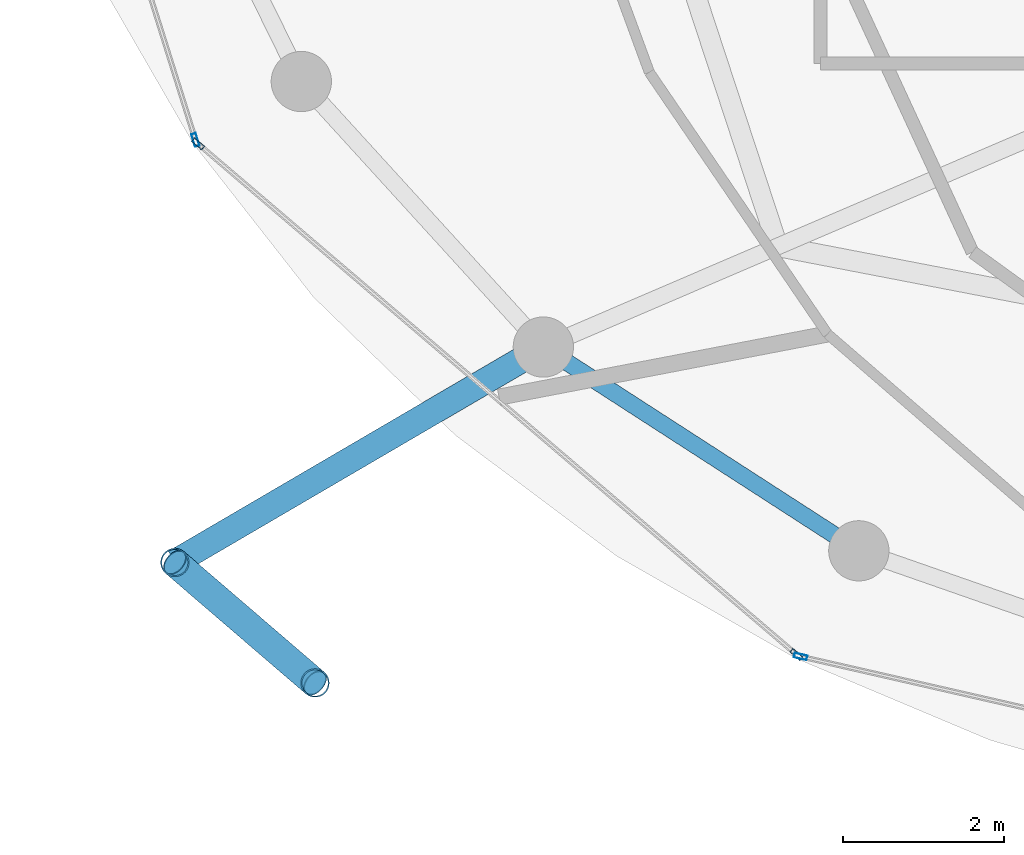
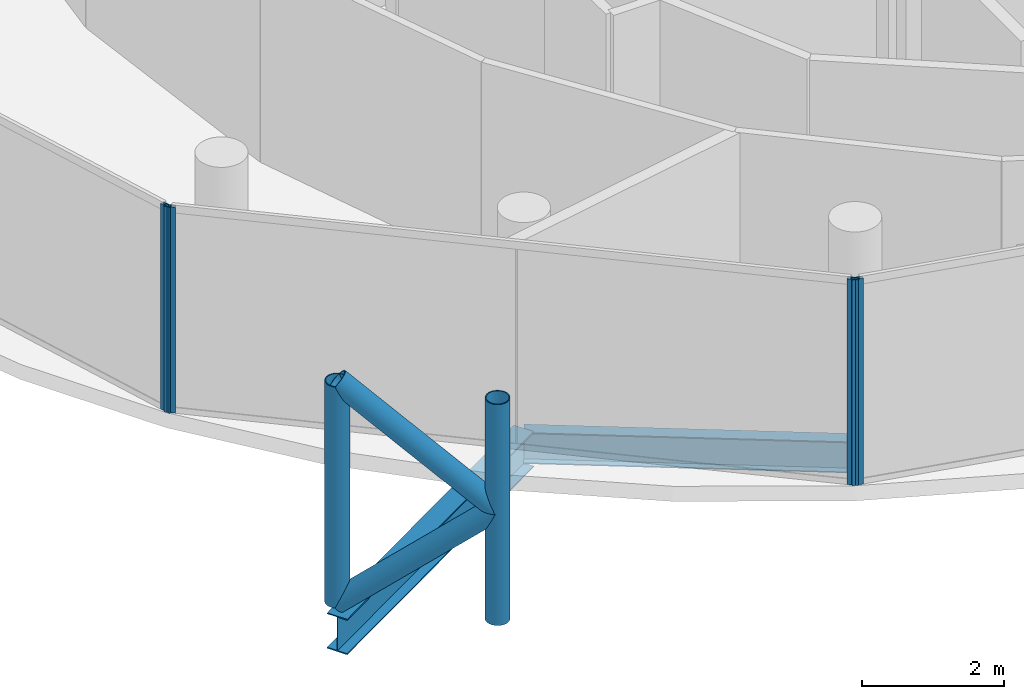
# One storey, part 2 of 24: 8 members, 2 beams, 3 elements without a shape of their own.
"""IFC4 building model written with IfcOpenShell, lengths in metres."""

from ifc_helpers import new_model, si_unit, direction, frame, origin, origin_2d, place, context, subcontext, project, spatial, hollow_rectangle, hollow_circle, i_section, extrude, material, layer, layer_set, material_profile, profile_set, type_object, element, aggregate, save


model = new_model("IFC4")

# Units and contexts
model_context = context("Model", 3, precision=1e-05, world=origin(), true_north=direction((0.0, 1.0)))
body_context = subcontext(model_context, "Body", "Model", "MODEL_VIEW")
ifc_project = project(units=[si_unit("LENGTHUNIT", "METRE"), si_unit("AREAUNIT", "SQUARE_METRE"), si_unit("VOLUMEUNIT", "CUBIC_METRE"), si_unit("PLANEANGLEUNIT", "RADIAN"), si_unit("MASSUNIT", "GRAM", prefix="KILO")], contexts=[model_context])

# Site, building, storey
site_placement = place(None, origin())
site = spatial("IfcSite", under=ifc_project, at=site_placement, CompositionType="ELEMENT")
building_placement = place(site_placement, origin())
building = spatial("IfcBuilding", under=site, at=building_placement, Name="Nuhasar Tower", CompositionType="ELEMENT")
storey_placement = place(building_placement, frame((0.0, 0.0, 282.199951171875)))
storey = spatial("IfcBuildingStorey", under=building, at=storey_placement, Name="L70", CompositionType="ELEMENT", Elevation=282.199951171875)

# Beams
ifc_material_1 = material(Name="Steel S355", Category="steel")
ifc_material_profile_1 = material_profile(ifc_material_1, i_section(OverallWidth=0.2099609375, OverallDepth=0.537109375, WebThickness=0.010986328125, FlangeThickness=0.017333984375, at=origin_2d()), Name="W21X68")
ifc_profile_set_1 = profile_set([ifc_material_profile_1], Name="Steel S355")
beam_type_1 = type_object("IfcBeamType", Name="BM-RING-W21X68", PredefinedType="SPANDREL", material=ifc_profile_set_1)
beam_1_placement = place(storey_placement, frame((25.60009765625, 15.52197265625, -0.529052734375), z_axis=(0.840025485934, -0.542546940809, 0.0), x_axis=(0.542546940809, 0.840025485934, 0.0)))
element("IfcBeam", 1, at=beam_1_placement, inside=storey, type_object=beam_type_1, Name="L70 Perimeter Ring Spandrel 16", PredefinedType="SPANDREL", context=body_context, shape_type="SweptSolid", body=[
    extrude(i_section(OverallWidth=0.2099609375, OverallDepth=0.537109375, WebThickness=0.010986328125, FlangeThickness=0.017333984375, at=origin_2d()), origin(), (0.0, 0.0, 1.0), 4.67236328125),
])
ifc_material_profile_2 = material_profile(ifc_material_1, i_section(OverallWidth=0.323974609375, OverallDepth=0.611083984375, WebThickness=0.0126953125, FlangeThickness=0.01904296875, at=origin_2d()), Name="W24X104")
ifc_profile_set_2 = profile_set([ifc_material_profile_2], Name="Steel S355")
beam_type_2 = type_object("IfcBeamType", Name="BM-TIE-W24X104", PredefinedType="BEAM", material=ifc_profile_set_2)
beam_2_placement = place(storey_placement, frame((25.60009765625, 15.52197265625, -0.56494140625), z_axis=(-0.863291554686, -0.504705549413, 0.0), x_axis=(0.504705549413, -0.863291554686, 0.0)))
element("IfcBeam", 2, at=beam_2_placement, inside=storey, type_object=beam_type_2, Name="L70 Exoskeleton Node Tie Beam 08", PredefinedType="BEAM", context=body_context, shape_type="SweptSolid", body=[
    extrude(i_section(OverallWidth=0.323974609375, OverallDepth=0.611083984375, WebThickness=0.0126953125, FlangeThickness=0.01904296875, at=origin_2d()), origin(), (0.0, 0.0, 1.0), 5.309814453125),
])

# Curtain wall, member
ifc_material_2 = material(Name="Aluminium 6063-T6", Category="aluminium")
ifc_layer = layer(ifc_material_2, 0.18994140625)
ifc_layer_set = layer_set([ifc_layer], Name="Aluminium 6063-T6")
curtain_wall_type = type_object("IfcCurtainWallType", Name="CW-Z4-PEN", PredefinedType="NOTDEFINED", material=ifc_layer_set)
curtain_wall_1_placement = place(storey_placement, origin())
curtain_wall_1 = element("IfcCurtainWall", 3, at=curtain_wall_1_placement, inside=storey, type_object=curtain_wall_type, Name="L70 Unitised Curtain Wall 07", PredefinedType="NOTDEFINED")
ifc_material_profile_3 = material_profile(ifc_material_2, hollow_rectangle(XDim=0.06005859375, YDim=0.1650390625, WallThickness=0.0048828125, at=origin_2d()), Name="CWM-5")
ifc_profile_set_3 = profile_set([ifc_material_profile_3], Name="Aluminium 6063-T6")
member_type_1 = type_object("IfcMemberType", Name="CW-MUL-S5", PredefinedType="MULLION", material=ifc_profile_set_3)
member_1_placement = place(storey_placement, frame((21.27197265625, 18.0986328125, 0.0), z_axis=(0.0, 0.0, 1.0), x_axis=(0.954078526601, 0.299556614146, 0.0)))
member_1 = element("IfcMember", 4, at=member_1_placement, type_object=member_type_1, Name="CW-Z4 mullion 2", PredefinedType="MULLION", context=body_context, shape_type="SweptSolid", body=[
    extrude(hollow_rectangle(XDim=0.06005859375, YDim=0.1650390625, WallThickness=0.0048828125, at=origin_2d()), origin(), (0.0, 0.0, 1.0), 3.5400390625),
])
aggregate(curtain_wall_1, [member_1])

# Curtain wall, members
curtain_wall_2_placement = place(storey_placement, origin())
curtain_wall_2 = element("IfcCurtainWall", 5, at=curtain_wall_2_placement, inside=storey, type_object=curtain_wall_type, Name="L70 Unitised Curtain Wall 08", PredefinedType="NOTDEFINED")
member_2_placement = place(storey_placement, frame((21.3037109375, 18.050537109375, 0.0), z_axis=(0.0, 0.0, 1.0), x_axis=(0.649141996205, 0.760667252327, 0.0)))
member_2 = element("IfcMember", 6, at=member_2_placement, type_object=member_type_1, Name="CW-Z4 mullion 1", PredefinedType="MULLION", context=body_context, shape_type="SweptSolid", body=[
    extrude(hollow_rectangle(XDim=0.06005859375, YDim=0.1650390625, WallThickness=0.0048828125, at=origin_2d()), origin(), (0.0, 0.0, 1.0), 3.5400390625),
])
member_3_placement = place(storey_placement, frame((28.7470703125, 11.698486328125, 0.0), z_axis=(0.0, 0.0, 1.0), x_axis=(0.649141996205, 0.760667252327, 0.0)))
member_3 = element("IfcMember", 7, at=member_3_placement, type_object=member_type_1, Name="CW-Z4 mullion 2", PredefinedType="MULLION", context=body_context, shape_type="SweptSolid", body=[
    extrude(hollow_rectangle(XDim=0.06005859375, YDim=0.1650390625, WallThickness=0.0048828125, at=origin_2d()), origin(), (0.0, 0.0, 1.0), 3.5400390625),
])
aggregate(curtain_wall_2, [member_2, member_3])

# Curtain wall, member
curtain_wall_3_placement = place(storey_placement, origin())
curtain_wall_3 = element("IfcCurtainWall", 8, at=curtain_wall_3_placement, inside=storey, type_object=curtain_wall_type, Name="L70 Unitised Curtain Wall 09", PredefinedType="NOTDEFINED")
member_4_placement = place(storey_placement, frame((28.79931640625, 11.67236328125, 0.0), z_axis=(0.0, 0.0, 1.0), x_axis=(0.222889487645, 0.97484371891, 0.0)))
member_4 = element("IfcMember", 9, at=member_4_placement, type_object=member_type_1, Name="CW-Z4 mullion 1", PredefinedType="MULLION", context=body_context, shape_type="SweptSolid", body=[
    extrude(hollow_rectangle(XDim=0.06005859375, YDim=0.1650390625, WallThickness=0.0048828125, at=origin_2d()), origin(), (0.0, 0.0, 1.0), 3.5400390625),
])
aggregate(curtain_wall_3, [member_4])

# Members
ifc_material_3 = material(Name="Steel S460", Category="steel")
ifc_material_profile_4 = material_profile(ifc_material_3, hollow_circle(Radius=0.177734375, WallThickness=0.015869140625, at=origin_2d()), Name="HSS355.6X15.9")
ifc_profile_set_4 = profile_set([ifc_material_profile_4], Name="Steel S460")
member_type_2 = type_object("IfcMemberType", Name="EXO-BRONZE-356", PredefinedType="BRACE", material=ifc_profile_set_4)
for number, where, z_axis, x_axis, name in (
    (10, (21.01611328125, 12.842041015625, 0.0), (0.0, 0.0, 1.0), (1.0, 0.0, 0.0), "L70 Exoskeleton Chord Column EC-08A"),
    (11, (22.760009765625, 11.343017578125, 0.0), (0.0, 0.0, 1.0), (1.0, 0.0, 0.0), "L70 Exoskeleton Chord Column EC-08B"),
):
    element("IfcMember", number, at=place(storey_placement, frame(where, z_axis=z_axis, x_axis=x_axis)), inside=storey, type_object=member_type_2, Name=name, PredefinedType="BRACE", context=body_context, shape_type="SweptSolid", body=[
        extrude(hollow_circle(Radius=0.177734375, WallThickness=0.015869140625, at=origin_2d()), origin(), (0.0, 0.0, 1.0), 3.800048828125),
    ])
member_5_placement = place(storey_placement, frame((21.01611328125, 12.842041015625, 0.0), z_axis=(0.584594747408, -0.50250759472, 0.636973389203), x_axis=(0.65185738425, 0.758341579104, 0.0)))
element("IfcMember", 12, at=member_5_placement, inside=storey, type_object=member_type_2, Name="L70 Bronze Diagrid Brace W1-08", PredefinedType="BRACE", context=body_context, shape_type="SweptSolid", body=[
    extrude(hollow_circle(Radius=0.177734375, WallThickness=0.015869140625, at=origin_2d()), origin(), (0.0, 0.0, 1.0), 2.983154296875),
])
member_6_placement = place(storey_placement, frame((22.760009765625, 11.343017578125, 1.900146484375), z_axis=(-0.584625223306, 0.502533791278, 0.636924749792), x_axis=(-0.65185738425, -0.758341579104, 0.0)))
element("IfcMember", 13, at=member_6_placement, inside=storey, type_object=member_type_2, Name="L70 Bronze Diagrid Brace W2-08", PredefinedType="BRACE", context=body_context, shape_type="SweptSolid", body=[
    extrude(hollow_circle(Radius=0.177734375, WallThickness=0.015869140625, at=origin_2d()), origin(), (0.0, 0.0, 1.0), 2.98291015625),
])

save(model, "model.ifc")
